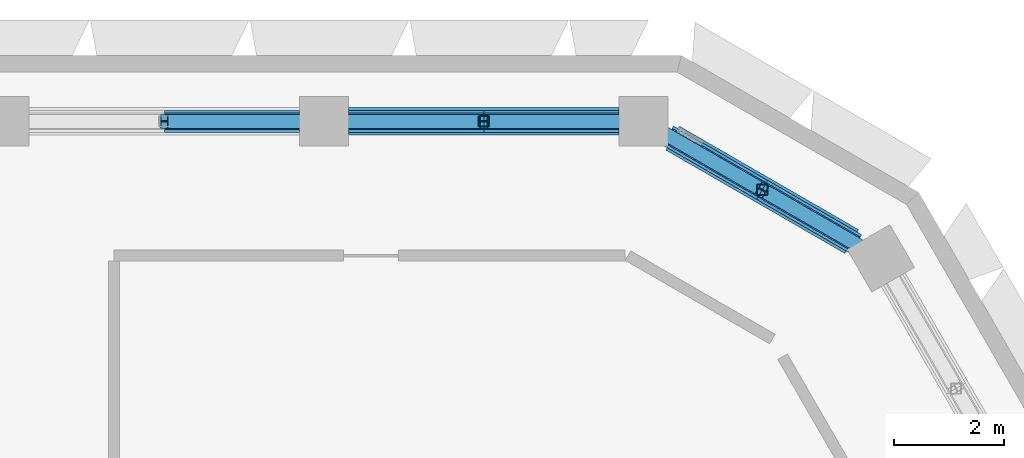
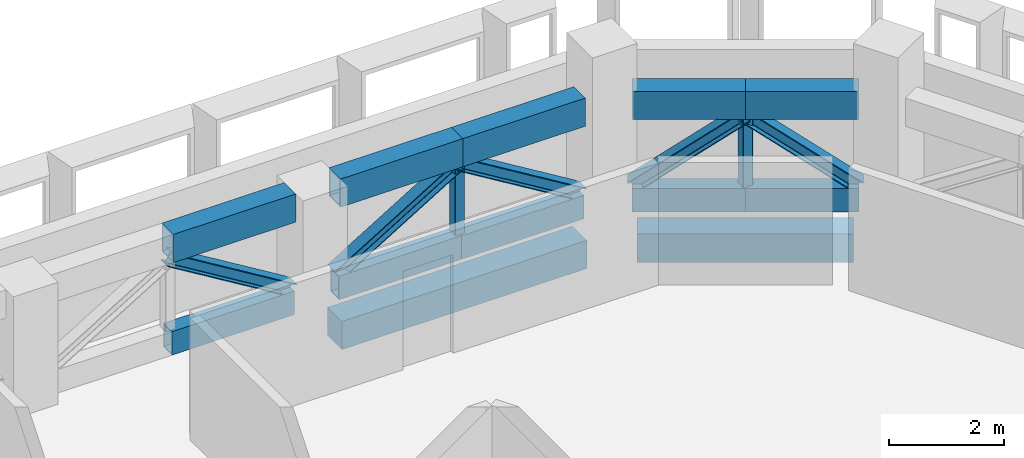
# One storey, part 10 of 22: 17 members, 2 beams.
"""IFC4 building model written with IfcOpenShell, lengths in metres."""

from ifc_helpers import new_model, si_unit, direction, frame, origin, origin_2d, place, context, subcontext, project, spatial, rectangle, hollow_rectangle, i_section, extrude, material, material_profile, profile_set, type_object, element, save


model = new_model("IFC4")

# Units and contexts
model_context = context("Model", 3, precision=1e-05, world=origin(), true_north=direction((0.0, 1.0)))
body_context = subcontext(model_context, "Body", "Model", "MODEL_VIEW")
ifc_project = project(units=[si_unit("LENGTHUNIT", "METRE"), si_unit("AREAUNIT", "SQUARE_METRE"), si_unit("VOLUMEUNIT", "CUBIC_METRE"), si_unit("PLANEANGLEUNIT", "RADIAN"), si_unit("MASSUNIT", "GRAM", prefix="KILO")], contexts=[model_context])

# Site, building, storey
site_placement = place(None, origin())
site = spatial("IfcSite", under=ifc_project, at=site_placement, CompositionType="ELEMENT")
building_placement = place(site_placement, origin())
building = spatial("IfcBuilding", under=site, at=building_placement, Name="Beryl Residences", CompositionType="ELEMENT")
storey_placement = place(building_placement, frame((0.0, 0.0, 153.60009765625)))
storey = spatial("IfcBuildingStorey", under=building, at=storey_placement, Name="L47", CompositionType="ELEMENT", Elevation=153.60009765625)

# Members
ifc_material_1 = material(Name="Steel S355", Category="steel")
ifc_material_profile_1 = material_profile(ifc_material_1, hollow_rectangle(XDim=0.300048828125, YDim=0.5, WallThickness=0.02001953125, at=origin_2d()))
ifc_profile_set_1 = profile_set([ifc_material_profile_1], Name="Steel S355")
member_type_1 = type_object("IfcMemberType", Name="BB3 belt truss bottom chord WB 500x300x20", PredefinedType="CHORD", material=ifc_profile_set_1)
member_1_placement = place(storey_placement, frame((11.2119140625, 24.39990234375, 0.25), z_axis=(-1.0, 0.0, 0.0), x_axis=(0.0, -1.0, 0.0)))
element("IfcMember", 1, at=member_1_placement, inside=storey, type_object=member_type_1, Name="Belt truss BB3-N-0a L47", PredefinedType="CHORD", context=body_context, shape_type="SweptSolid", body=[
    extrude(hollow_rectangle(XDim=0.300048828125, YDim=0.5, WallThickness=0.02001953125, at=origin_2d()), origin(), (0.0, 0.0, 1.0), 2.46484375),
])
member_2_placement = place(storey_placement, frame((8.7470703125, 24.39990234375, 0.25), z_axis=(-1.0, 0.0, 0.0), x_axis=(0.0, -1.0, 0.0)))
element("IfcMember", 2, at=member_2_placement, inside=storey, type_object=member_type_1, Name="Belt truss BB3-N-0b L47", PredefinedType="CHORD", context=body_context, shape_type="SweptSolid", body=[
    extrude(hollow_rectangle(XDim=0.300048828125, YDim=0.5, WallThickness=0.02001953125, at=origin_2d()), origin(), (0.0, 0.0, 1.0), 2.466064453125),
])
member_3_placement = place(storey_placement, frame((5.381103515625, 24.39990234375, 0.25), z_axis=(-1.0, 0.0, 0.0), x_axis=(0.0, -1.0, 0.0)))
element("IfcMember", 3, at=member_3_placement, inside=storey, type_object=member_type_1, Name="Belt truss BB3-N-1a L47", PredefinedType="CHORD", context=body_context, shape_type="SweptSolid", body=[
    extrude(hollow_rectangle(XDim=0.300048828125, YDim=0.5, WallThickness=0.02001953125, at=origin_2d()), origin(), (0.0, 0.0, 1.0), 2.465087890625),
])
member_4_placement = place(storey_placement, frame((15.54296875, 22.159912109375, 0.25), z_axis=(-0.866072678707, 0.499918108492, 0.0), x_axis=(-0.499918108492, -0.866072678707, 0.0)))
element("IfcMember", 4, at=member_4_placement, inside=storey, type_object=member_type_1, Name="Belt truss BB3-NE-4a L47", PredefinedType="CHORD", context=body_context, shape_type="SweptSolid", body=[
    extrude(hollow_rectangle(XDim=0.300048828125, YDim=0.5, WallThickness=0.02001953125, at=origin_2d()), origin(), (0.0, 0.0, 1.0), 1.980224609375),
])
member_5_placement = place(storey_placement, frame((13.827880859375, 23.14990234375, 0.25), z_axis=(-0.866165067302, 0.499758017631, 0.0), x_axis=(-0.499758017631, -0.866165067302, 0.0)))
element("IfcMember", 5, at=member_5_placement, inside=storey, type_object=member_type_1, Name="Belt truss BB3-NE-4b L47", PredefinedType="CHORD", context=body_context, shape_type="SweptSolid", body=[
    extrude(hollow_rectangle(XDim=0.300048828125, YDim=0.5, WallThickness=0.02001953125, at=origin_2d()), origin(), (0.0, 0.0, 1.0), 1.98095703125),
])
ifc_material_2 = material(Name="Steel S355", Category="steel")
ifc_material_profile_2 = material_profile(ifc_material_2, i_section(OverallWidth=0.256103515625, OverallDepth=0.260009765625, WebThickness=0.010498046875, FlangeThickness=0.017333984375, FilletRadius=0.013916015625, at=origin_2d()))
ifc_profile_set_2 = profile_set([ifc_material_profile_2], Name="Steel S355")
member_type_2 = type_object("IfcMemberType", Name="BD3 belt truss diagonal 250UC90", PredefinedType="BRACE", material=ifc_profile_set_2)
member_6_placement = place(storey_placement, frame((11.2119140625, 24.39990234375, 0.5), z_axis=(-0.854250836171, 0.0, 0.519861047686), x_axis=(0.0, -1.0, 0.0)))
element("IfcMember", 6, at=member_6_placement, inside=storey, type_object=member_type_2, Name="Belt truss BD3-N-0a L47", PredefinedType="BRACE", context=body_context, shape_type="SweptSolid", body=[
    extrude(i_section(OverallWidth=0.256103515625, OverallDepth=0.260009765625, WebThickness=0.010498046875, FlangeThickness=0.017333984375, FilletRadius=0.013916015625, at=origin_2d()), origin(), (0.0, 0.0, 1.0), 2.885498046875),
])
member_7_placement = place(storey_placement, frame((6.281005859375, 24.39990234375, 0.5), z_axis=(0.854365109594, 0.0, 0.519673223775), x_axis=(0.0, 1.0, 0.0)))
element("IfcMember", 7, at=member_7_placement, inside=storey, type_object=member_type_2, Name="Belt truss BD3-N-0b L47", PredefinedType="BRACE", context=body_context, shape_type="SweptSolid", body=[
    extrude(i_section(OverallWidth=0.256103515625, OverallDepth=0.260009765625, WebThickness=0.010498046875, FlangeThickness=0.017333984375, FilletRadius=0.013916015625, at=origin_2d()), origin(), (0.0, 0.0, 1.0), 2.886474609375),
])
member_8_placement = place(storey_placement, frame((5.381103515625, 24.39990234375, 0.5), z_axis=(-0.854273700768, 0.0, 0.519823474053), x_axis=(0.0, -1.0, 0.0)))
element("IfcMember", 8, at=member_8_placement, inside=storey, type_object=member_type_2, Name="Belt truss BD3-N-1a L47", PredefinedType="BRACE", context=body_context, shape_type="SweptSolid", body=[
    extrude(i_section(OverallWidth=0.256103515625, OverallDepth=0.260009765625, WebThickness=0.010498046875, FlangeThickness=0.017333984375, FilletRadius=0.013916015625, at=origin_2d()), origin(), (0.0, 0.0, 1.0), 2.885498046875),
])
member_9_placement = place(storey_placement, frame((15.54296875, 22.159912109375, 0.5), z_axis=(-0.690378478297, 0.398503164341, 0.603798629275), x_axis=(-0.499918108492, -0.866072678707, 0.0)))
element("IfcMember", 9, at=member_9_placement, inside=storey, type_object=member_type_2, Name="Belt truss BD3-NE-4a L47", PredefinedType="BRACE", context=body_context, shape_type="SweptSolid", body=[
    extrude(i_section(OverallWidth=0.256103515625, OverallDepth=0.260009765625, WebThickness=0.010498046875, FlangeThickness=0.017333984375, FilletRadius=0.013916015625, at=origin_2d()), origin(), (0.0, 0.0, 1.0), 2.484375),
])
member_10_placement = place(storey_placement, frame((12.112060546875, 24.139892578125, 0.5), z_axis=(0.690532735225, -0.39842206052, 0.603675743486), x_axis=(0.499758017631, 0.866165067302, 0.0)))
element("IfcMember", 10, at=member_10_placement, inside=storey, type_object=member_type_2, Name="Belt truss BD3-NE-4b L47", PredefinedType="BRACE", context=body_context, shape_type="SweptSolid", body=[
    extrude(i_section(OverallWidth=0.256103515625, OverallDepth=0.260009765625, WebThickness=0.010498046875, FlangeThickness=0.017333984375, FilletRadius=0.013916015625, at=origin_2d()), origin(), (0.0, 0.0, 1.0), 2.48486328125),
])
ifc_material_3 = material(Name="Steel S355", Category="steel")
ifc_material_profile_3 = material_profile(ifc_material_3, hollow_rectangle(XDim=0.199951171875, YDim=0.199951171875, WallThickness=0.009033203125, InnerFilletRadius=0.009033203125, OuterFilletRadius=0.01806640625, at=origin_2d()))
ifc_profile_set_3 = profile_set([ifc_material_profile_3], Name="Steel S355")
member_type_3 = type_object("IfcMemberType", Name="BQ3 belt truss post SHS 200x200x9", PredefinedType="POST", material=ifc_profile_set_3)
for number, where, z_axis, x_axis, name in (
    (11, (8.7470703125, 24.39990234375, 0.5), (0.0, 0.0, 1.0), (1.0, 0.0, 0.0), "Belt truss BQ3-N-0 L47"),
    (12, (13.827880859375, 23.14990234375, 0.5), (0.0, 0.0, 1.0), (1.0, 0.0, 0.0), "Belt truss BQ3-NE-4 L47"),
):
    element("IfcMember", number, at=place(storey_placement, frame(where, z_axis=z_axis, x_axis=x_axis)), inside=storey, type_object=member_type_3, Name=name, PredefinedType="POST", context=body_context, shape_type="SweptSolid", body=[
        extrude(hollow_rectangle(XDim=0.199951171875, YDim=0.199951171875, WallThickness=0.009033203125, InnerFilletRadius=0.009033203125, OuterFilletRadius=0.01806640625, at=origin_2d()), origin(), (0.0, 0.0, 1.0), 1.5),
    ])
ifc_material_4 = material(Name="Steel S355", Category="steel")
ifc_material_profile_4 = material_profile(ifc_material_4, hollow_rectangle(XDim=0.39990234375, YDim=0.60009765625, WallThickness=0.030029296875, at=origin_2d()))
ifc_profile_set_4 = profile_set([ifc_material_profile_4], Name="Steel S355")
member_type_4 = type_object("IfcMemberType", Name="BT3 belt truss top chord WB 600x400x30", PredefinedType="CHORD", material=ifc_profile_set_4)
member_11_placement = place(storey_placement, frame((11.2119140625, 24.39990234375, 2.2998046875), z_axis=(-1.0, 0.0, 0.0), x_axis=(0.0, -1.0, 0.0)))
element("IfcMember", 13, at=member_11_placement, inside=storey, type_object=member_type_4, Name="Belt truss BT3-N-0a L47", PredefinedType="CHORD", context=body_context, shape_type="SweptSolid", body=[
    extrude(hollow_rectangle(XDim=0.39990234375, YDim=0.60009765625, WallThickness=0.030029296875, at=origin_2d()), origin(), (0.0, 0.0, 1.0), 2.46484375),
])
member_12_placement = place(storey_placement, frame((8.7470703125, 24.39990234375, 2.2998046875), z_axis=(-1.0, 0.0, 0.0), x_axis=(0.0, -1.0, 0.0)))
element("IfcMember", 14, at=member_12_placement, inside=storey, type_object=member_type_4, Name="Belt truss BT3-N-0b L47", PredefinedType="CHORD", context=body_context, shape_type="SweptSolid", body=[
    extrude(hollow_rectangle(XDim=0.39990234375, YDim=0.60009765625, WallThickness=0.030029296875, at=origin_2d()), origin(), (0.0, 0.0, 1.0), 2.466064453125),
])
member_13_placement = place(storey_placement, frame((5.381103515625, 24.39990234375, 2.2998046875), z_axis=(-1.0, 0.0, 0.0), x_axis=(0.0, -1.0, 0.0)))
element("IfcMember", 15, at=member_13_placement, inside=storey, type_object=member_type_4, Name="Belt truss BT3-N-1a L47", PredefinedType="CHORD", context=body_context, shape_type="SweptSolid", body=[
    extrude(hollow_rectangle(XDim=0.39990234375, YDim=0.60009765625, WallThickness=0.030029296875, at=origin_2d()), origin(), (0.0, 0.0, 1.0), 2.465087890625),
])
member_14_placement = place(storey_placement, frame((15.54296875, 22.159912109375, 2.2998046875), z_axis=(-0.866072678707, 0.499918108492, 0.0), x_axis=(-0.499918108492, -0.866072678707, 0.0)))
element("IfcMember", 16, at=member_14_placement, inside=storey, type_object=member_type_4, Name="Belt truss BT3-NE-4a L47", PredefinedType="CHORD", context=body_context, shape_type="SweptSolid", body=[
    extrude(hollow_rectangle(XDim=0.39990234375, YDim=0.60009765625, WallThickness=0.030029296875, at=origin_2d()), origin(), (0.0, 0.0, 1.0), 1.980224609375),
])
member_15_placement = place(storey_placement, frame((13.827880859375, 23.14990234375, 2.2998046875), z_axis=(-0.866165067302, 0.499758017631, 0.0), x_axis=(-0.499758017631, -0.866165067302, 0.0)))
element("IfcMember", 17, at=member_15_placement, inside=storey, type_object=member_type_4, Name="Belt truss BT3-NE-4b L47", PredefinedType="CHORD", context=body_context, shape_type="SweptSolid", body=[
    extrude(hollow_rectangle(XDim=0.39990234375, YDim=0.60009765625, WallThickness=0.030029296875, at=origin_2d()), origin(), (0.0, 0.0, 1.0), 1.98095703125),
])

# Beams
ifc_material_5 = material(Name="Concrete C60/75", Category="concrete")
ifc_material_profile_5 = material_profile(ifc_material_5, rectangle(XDim=0.5, YDim=0.60009765625, at=origin_2d()))
ifc_profile_set_5 = profile_set([ifc_material_profile_5], Name="Concrete C60/75")
beam_type = type_object("IfcBeamType", Name="SB3 spandrel beam 500 x 600 C60/75", PredefinedType="SPANDREL", material=ifc_profile_set_5)
beam_1_placement = place(storey_placement, frame((11.2119140625, 24.39990234375, -0.7001953125), z_axis=(-1.0, 0.0, 0.0), x_axis=(0.0, -1.0, 0.0)))
element("IfcBeam", 18, at=beam_1_placement, inside=storey, type_object=beam_type, Name="SB3 L47 N-0", PredefinedType="SPANDREL", context=body_context, shape_type="SweptSolid", body=[
    extrude(rectangle(XDim=0.5, YDim=0.60009765625, at=origin_2d()), origin(), (0.0, 0.0, 1.0), 4.930908203125),
])
beam_2_placement = place(storey_placement, frame((15.4609375, 22.20703125, -0.7001953125), z_axis=(-0.866040087317, 0.499974566514, 0.0), x_axis=(-0.499974566514, -0.866040087317, 0.0)))
element("IfcBeam", 19, at=beam_2_placement, inside=storey, type_object=beam_type, Name="SB3 L47 NE-4", PredefinedType="SPANDREL", context=body_context, shape_type="SweptSolid", body=[
    extrude(rectangle(XDim=0.5, YDim=0.60009765625, at=origin_2d()), origin(), (0.0, 0.0, 1.0), 3.772216796875),
])

save(model, "model.ifc")
